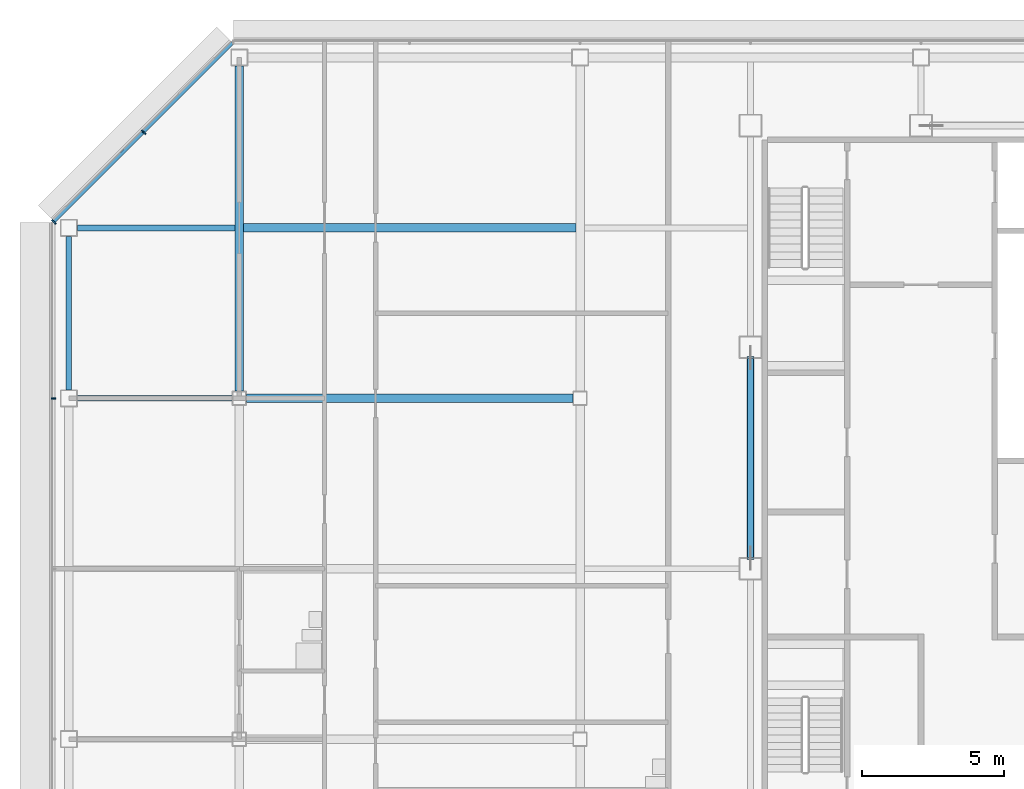
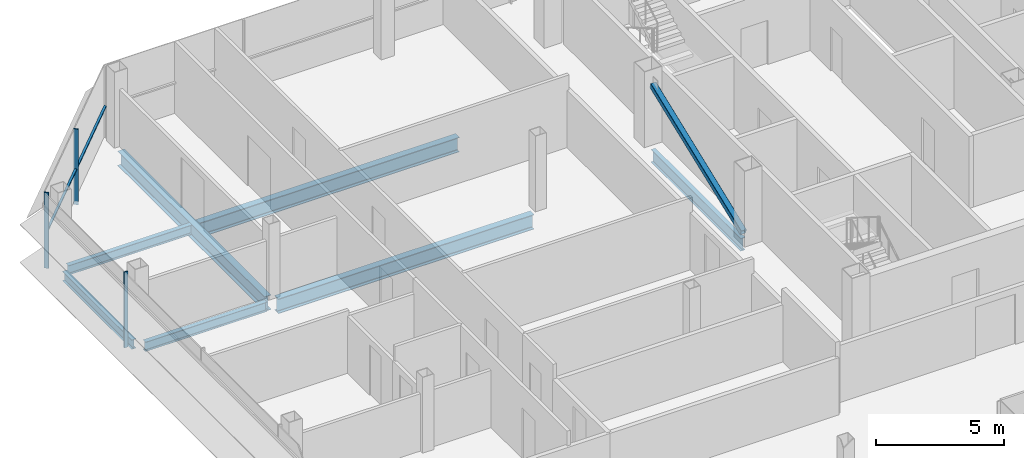
# One storey, part 12 of 27: 7 beams, 5 members, 2 elements without a shape of their own.
"""IFC4 building model written with IfcOpenShell, lengths in metres."""

from ifc_helpers import new_model, si_unit, direction, frame, origin, origin_2d, place, context, subcontext, project, spatial, rectangle, hollow_rectangle, i_section, extrude, material, material_profile, profile_set, type_object, element, aggregate, save


model = new_model("IFC4")

# Units and contexts
model_context = context("Model", 3, precision=1e-05, world=origin(), true_north=direction((0.0, 1.0)))
body_context = subcontext(model_context, "Body", "Model", "MODEL_VIEW")
ifc_project = project(units=[si_unit("LENGTHUNIT", "METRE"), si_unit("AREAUNIT", "SQUARE_METRE"), si_unit("VOLUMEUNIT", "CUBIC_METRE"), si_unit("PLANEANGLEUNIT", "RADIAN"), si_unit("MASSUNIT", "GRAM", prefix="KILO")], contexts=[model_context])

# Site, building, storey
site_placement = place(None, origin())
site = spatial("IfcSite", under=ifc_project, at=site_placement, CompositionType="ELEMENT")
building_placement = place(site_placement, origin())
building = spatial("IfcBuilding", under=site, at=building_placement, Name="Sorahane Residences", CompositionType="ELEMENT")
storey_placement = place(building_placement, frame((0.0, 0.0, 298.0)))
storey = spatial("IfcBuildingStorey", under=building, at=storey_placement, Name="L70", CompositionType="ELEMENT", Elevation=298.0)

# Member
ifc_material_1 = material(Name="Steel Q355B", Category="steel")
ifc_material_profile_1 = material_profile(ifc_material_1, hollow_rectangle(XDim=0.25, YDim=0.25, WallThickness=0.013916015625, InnerFilletRadius=0.007080078125, OuterFilletRadius=0.02099609375, at=origin_2d()), Name="RHS 250x250x14")
ifc_profile_set_1 = profile_set([ifc_material_profile_1], Name="Steel Q355B")
member_type_1 = type_object("IfcMemberType", Name="Core brace RHS 250x250x14 Q355B", PredefinedType="BRACE", material=ifc_profile_set_1)
member_1_placement = place(storey_placement, frame((6.0, 30.372802734375, 0.114501953125), z_axis=(0.0, 0.932112994653, 0.362167592697), x_axis=(-1.0, 0.0, 0.0)))
element("IfcMember", 1, at=member_1_placement, inside=storey, type_object=member_type_1, Name="Core brace L70 x6-2", PredefinedType="BRACE", context=body_context, shape_type="SweptSolid", body=[
    extrude(hollow_rectangle(XDim=0.25, YDim=0.25, WallThickness=0.013916015625, InnerFilletRadius=0.007080078125, OuterFilletRadius=0.02099609375, at=origin_2d()), origin(), (0.0, 0.0, 1.0), 7.568115234375),
])

# Curtain wall, member
ifc_material_2 = material(Name="Dark low-e glass and black anodised aluminium", Category="aluminium")
curtain_wall_type_1 = type_object("IfcCurtainWallType", Name="Curtain wall CW-1 Typical unitised wall", PredefinedType="NOTDEFINED", material=ifc_material_2)
curtain_wall_1_placement = place(storey_placement, origin())
curtain_wall_1 = element("IfcCurtainWall", 2, at=curtain_wall_1_placement, inside=storey, type_object=curtain_wall_type_1, Name="CW-1 curtain wall L70 W2", PredefinedType="NOTDEFINED")
ifc_material_3 = material(Name="Black anodised aluminium", Category="aluminium")
ifc_material_profile_2 = material_profile(ifc_material_3, rectangle(XDim=0.159912109375, YDim=0.050048828125, at=origin_2d()), Name="Curtain wall mullion CW-1 black anodised aluminium 50x160")
ifc_profile_set_2 = profile_set([ifc_material_profile_2], Name="Black anodised aluminium")
member_type_2 = type_object("IfcMemberType", Name="Curtain wall mullion CW-1 black anodised aluminium 50x160", PredefinedType="MULLION", material=ifc_profile_set_2)
member_2_placement = place(storey_placement, frame((-18.5400390625, 36.0, -0.179931640625), z_axis=(0.0, 0.0, 1.0), x_axis=(-1.0, 0.0, 0.0)))
member_2 = element("IfcMember", 3, at=member_2_placement, type_object=member_type_2, Name="CW-1 mullion L70 W2.2", PredefinedType="MULLION", context=body_context, shape_type="SweptSolid", body=[
    extrude(rectangle(XDim=0.159912109375, YDim=0.050048828125, at=origin_2d()), origin(), (0.0, 0.0, 1.0), 3.599853515625),
])
aggregate(curtain_wall_1, [member_2])

# Curtain wall, members
ifc_material_4 = material(Name="Dark low-e glass and black anodised aluminium", Category="aluminium")
curtain_wall_type_2 = type_object("IfcCurtainWallType", Name="Curtain wall CW-2 Chamfer unitised wall", PredefinedType="NOTDEFINED", material=ifc_material_4)
curtain_wall_2_placement = place(storey_placement, origin())
curtain_wall_2 = element("IfcCurtainWall", 4, at=curtain_wall_2_placement, inside=storey, type_object=curtain_wall_type_2, Name="CW-2 curtain wall L70 NW1", PredefinedType="NOTDEFINED")
ifc_material_5 = material(Name="Black anodised aluminium", Category="aluminium")
ifc_material_profile_3 = material_profile(ifc_material_5, rectangle(XDim=0.199951171875, YDim=0.050048828125, at=origin_2d()), Name="Curtain wall mullion CW-2 black anodised aluminium 50x200")
ifc_profile_set_3 = profile_set([ifc_material_profile_3], Name="Black anodised aluminium")
member_type_3 = type_object("IfcMemberType", Name="Curtain wall mullion CW-2 black anodised aluminium 50x200", PredefinedType="MULLION", material=ifc_profile_set_3)
member_3_placement = place(storey_placement, frame((-15.36767578125, 45.36767578125, -0.179931640625), z_axis=(0.0, 0.0, 1.0), x_axis=(-0.707106781187, 0.707106781187, 0.0)))
member_3 = element("IfcMember", 5, at=member_3_placement, type_object=member_type_3, Name="CW-2 mullion L70 NW1.2", PredefinedType="MULLION", context=body_context, shape_type="SweptSolid", body=[
    extrude(rectangle(XDim=0.199951171875, YDim=0.050048828125, at=origin_2d()), origin(), (0.0, 0.0, 1.0), 3.599853515625),
])
member_4_placement = place(storey_placement, frame((-18.525634765625, 42.209716796875, -0.179931640625), z_axis=(0.0, 0.0, 1.0), x_axis=(-0.707106781187, 0.707106781187, 0.0)))
member_4 = element("IfcMember", 6, at=member_4_placement, type_object=member_type_3, Name="CW-2 mullion L70 NW1.3", PredefinedType="MULLION", context=body_context, shape_type="SweptSolid", body=[
    extrude(rectangle(XDim=0.199951171875, YDim=0.050048828125, at=origin_2d()), origin(), (0.0, 0.0, 1.0), 3.599853515625),
])
ifc_material_6 = material(Name="Black anodised aluminium", Category="aluminium")
ifc_material_profile_4 = material_profile(ifc_material_6, rectangle(XDim=0.10009765625, YDim=0.06005859375, at=origin_2d()), Name="Curtain wall transom CW-2 black anodised aluminium 60x100")
ifc_profile_set_4 = profile_set([ifc_material_profile_4], Name="Black anodised aluminium")
member_type_4 = type_object("IfcMemberType", Name="Curtain wall transom CW-2 black anodised aluminium 60x100", PredefinedType="USERDEFINED", material=ifc_profile_set_4)
member_5_placement = place(storey_placement, frame((-12.234375, 48.51513671875, 1.5), z_axis=(-0.707106781187, -0.707106781187, 0.0), x_axis=(0.707106781187, -0.707106781187, 0.0)))
member_5 = element("IfcMember", 7, at=member_5_placement, type_object=member_type_4, Name="CW-2 transom L70 NW1", ObjectType="TRANSOM", PredefinedType="USERDEFINED", context=body_context, shape_type="SweptSolid", body=[
    extrude(rectangle(XDim=0.10009765625, YDim=0.06005859375, at=origin_2d()), origin(), (0.0, 0.0, 1.0), 8.88232421875),
])
aggregate(curtain_wall_2, [member_3, member_4, member_5])

# Beams
ifc_material_7 = material(Name="Steel Q355B", Category="steel")
ifc_material_profile_5 = material_profile(ifc_material_7, i_section(OverallWidth=0.199951171875, OverallDepth=0.449951171875, WebThickness=0.009033203125, FlangeThickness=0.013916015625, FilletRadius=0.02001953125, at=origin_2d()), Name="HN 450x200x9x14")
ifc_profile_set_5 = profile_set([ifc_material_profile_5], Name="Steel Q355B")
beam_type_1 = type_object("IfcBeamType", Name="Steel floor beam HN 450x200x9x14 Q355B", PredefinedType="BEAM", material=ifc_profile_set_5)
beam_1_placement = place(storey_placement, frame((-17.699951171875, 36.0, -0.405029296875), z_axis=(1.0, 0.0, 0.0), x_axis=(0.0, 1.0, 0.0)))
element("IfcBeam", 8, at=beam_1_placement, inside=storey, type_object=beam_type_1, Name="Beam L70 013", PredefinedType="BEAM", context=body_context, shape_type="SweptSolid", body=[
    extrude(i_section(OverallWidth=0.199951171875, OverallDepth=0.449951171875, WebThickness=0.009033203125, FlangeThickness=0.013916015625, FilletRadius=0.02001953125, at=origin_2d()), origin(), (0.0, 0.0, 1.0), 5.449951171875),
])
beam_2_placement = place(storey_placement, frame((-18.0, 36.300048828125, -0.405029296875), z_axis=(0.0, 1.0, 0.0), x_axis=(-1.0, 0.0, 0.0)))
element("IfcBeam", 9, at=beam_2_placement, inside=storey, type_object=beam_type_1, Name="Beam L70 023", PredefinedType="BEAM", context=body_context, shape_type="SweptSolid", body=[
    extrude(i_section(OverallWidth=0.199951171875, OverallDepth=0.449951171875, WebThickness=0.009033203125, FlangeThickness=0.013916015625, FilletRadius=0.02001953125, at=origin_2d()), origin(), (0.0, 0.0, 1.0), 5.39990234375),
])
beam_3_placement = place(storey_placement, frame((-17.699951171875, 42.0, -0.405029296875), z_axis=(1.0, 0.0, 0.0), x_axis=(0.0, 1.0, 0.0)))
element("IfcBeam", 10, at=beam_3_placement, inside=storey, type_object=beam_type_1, Name="Beam L70 083", PredefinedType="BEAM", context=body_context, shape_type="SweptSolid", body=[
    extrude(i_section(OverallWidth=0.199951171875, OverallDepth=0.449951171875, WebThickness=0.009033203125, FlangeThickness=0.013916015625, FilletRadius=0.02001953125, at=origin_2d()), origin(), (0.0, 0.0, 1.0), 5.550048828125),
])
ifc_material_8 = material(Name="Steel Q355B", Category="steel")
ifc_material_profile_6 = material_profile(ifc_material_8, i_section(OverallWidth=0.199951171875, OverallDepth=0.60009765625, WebThickness=0.010986328125, FlangeThickness=0.01708984375, FilletRadius=0.02392578125, at=origin_2d()), Name="HN 600x200x11x17")
ifc_profile_set_6 = profile_set([ifc_material_profile_6], Name="Steel Q355B")
beam_type_2 = type_object("IfcBeamType", Name="Steel floor beam HN 600x200x11x17 Q355B", PredefinedType="BEAM", material=ifc_profile_set_6)
beam_4_placement = place(storey_placement, frame((6.0, 30.39990234375, -0.47998046875), z_axis=(0.0, 1.0, 0.0), x_axis=(-1.0, 0.0, 0.0)))
element("IfcBeam", 11, at=beam_4_placement, inside=storey, type_object=beam_type_2, Name="Beam L70 034", PredefinedType="BEAM", context=body_context, shape_type="SweptSolid", body=[
    extrude(i_section(OverallWidth=0.199951171875, OverallDepth=0.60009765625, WebThickness=0.010986328125, FlangeThickness=0.01708984375, FilletRadius=0.02392578125, at=origin_2d()), origin(), (0.0, 0.0, 1.0), 7.0),
])
ifc_material_9 = material(Name="Steel Q355B", Category="steel")
ifc_material_profile_7 = material_profile(ifc_material_9, i_section(OverallWidth=0.300048828125, OverallDepth=0.699951171875, WebThickness=0.012939453125, FlangeThickness=0.02392578125, FilletRadius=0.028076171875, at=origin_2d()), Name="HN 700x300x13x24")
ifc_profile_set_7 = profile_set([ifc_material_profile_7], Name="Steel Q355B")
beam_type_3 = type_object("IfcBeamType", Name="Steel floor beam HN 700x300x13x24 Q355B", PredefinedType="BEAM", material=ifc_profile_set_7)
beam_5_placement = place(storey_placement, frame((-11.75, 36.0, -0.530029296875), z_axis=(1.0, 0.0, 0.0), x_axis=(0.0, 1.0, 0.0)))
element("IfcBeam", 12, at=beam_5_placement, inside=storey, type_object=beam_type_3, Name="Beam L70 014", PredefinedType="BEAM", context=body_context, shape_type="SweptSolid", body=[
    extrude(i_section(OverallWidth=0.300048828125, OverallDepth=0.699951171875, WebThickness=0.012939453125, FlangeThickness=0.02392578125, FilletRadius=0.028076171875, at=origin_2d()), origin(), (0.0, 0.0, 1.0), 11.5),
])
beam_6_placement = place(storey_placement, frame((-12.0, 36.25, -0.530029296875), z_axis=(0.0, 1.0, 0.0), x_axis=(-1.0, 0.0, 0.0)))
element("IfcBeam", 13, at=beam_6_placement, inside=storey, type_object=beam_type_3, Name="Beam L70 027", PredefinedType="BEAM", context=body_context, shape_type="SweptSolid", body=[
    extrude(i_section(OverallWidth=0.300048828125, OverallDepth=0.699951171875, WebThickness=0.012939453125, FlangeThickness=0.02392578125, FilletRadius=0.028076171875, at=origin_2d()), origin(), (0.0, 0.0, 1.0), 11.449951171875),
])
beam_7_placement = place(storey_placement, frame((-11.85009765625, 42.0, -0.530029296875), z_axis=(1.0, 0.0, 0.0), x_axis=(0.0, 1.0, 0.0)))
element("IfcBeam", 14, at=beam_7_placement, inside=storey, type_object=beam_type_3, Name="Beam L70 084", PredefinedType="BEAM", context=body_context, shape_type="SweptSolid", body=[
    extrude(i_section(OverallWidth=0.300048828125, OverallDepth=0.699951171875, WebThickness=0.012939453125, FlangeThickness=0.02392578125, FilletRadius=0.028076171875, at=origin_2d()), origin(), (0.0, 0.0, 1.0), 11.7001953125),
])

save(model, "model.ifc")
